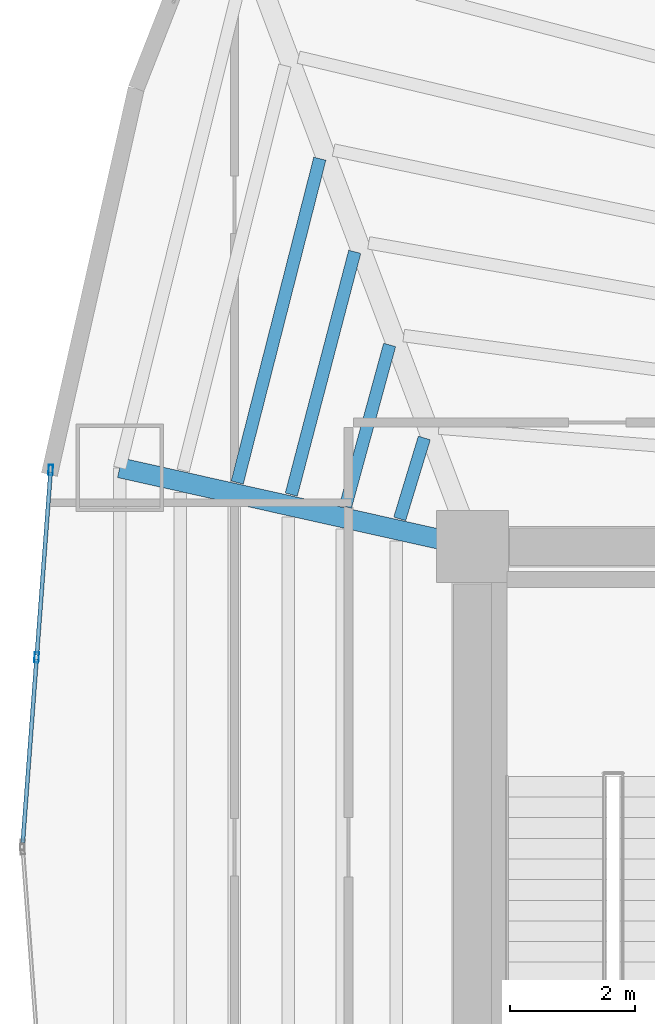
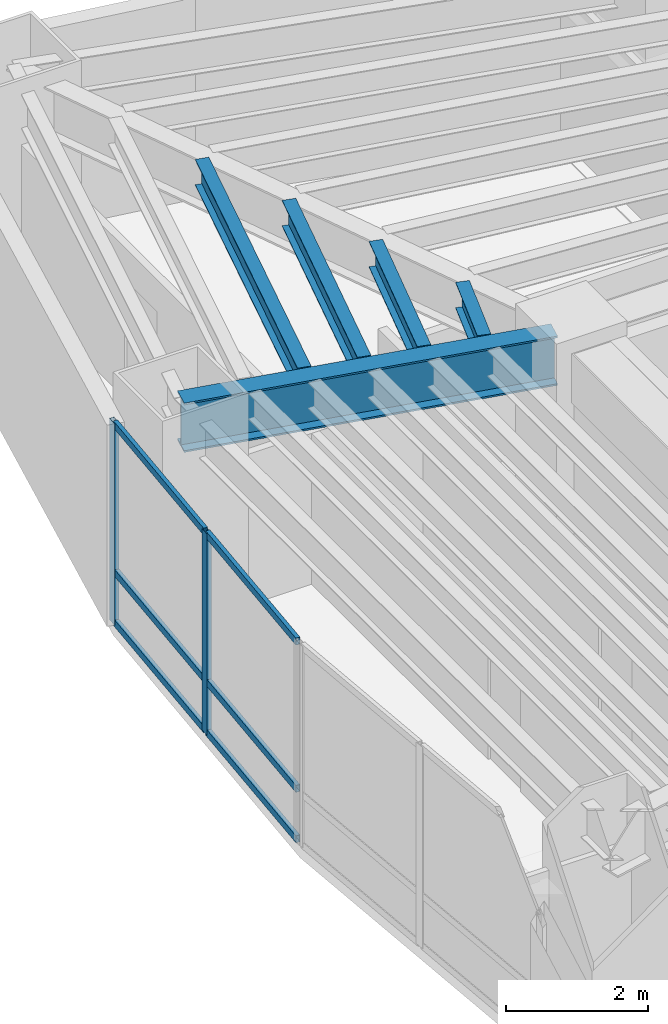
# One storey, part 7 of 17: 8 members, 5 beams, 1 element without a shape of its own.
"""IFC4 building model written with IfcOpenShell, lengths in metres."""

import ifcopenshell
import ifcopenshell.guid

model = None  # the IFC model being written
_history = None  # IfcOwnerHistory: only IFC2X3 demands one
_inside = {}  # id of a spatial element -> (the spatial element, [elements in it])
_under = {}  # id of a project, library or spatial element -> (it, [spatial elements below it])
_declared = {}  # id of a project -> (the project, [libraries it declares])
_typed = {}  # id of a type object -> (the type object, [elements of that type])
_made_of = {}  # id of a material, layer set ... -> (it, [elements and type objects made of it])


def new_model(schema):
    """Start an empty IFC model of exactly this schema.

    Asked for "IFC4X3", IfcOpenShell would pick the latest addendum, in which some entities
    have other attributes; the version numbers below select the first issue.
    IFC2X3 requires an IfcOwnerHistory on every rooted entity: one is made here for all.
    """
    global model, _history
    if schema == "IFC4X3":
        model = ifcopenshell.file(schema_version=(4, 3, 0, 0))
    else:
        model = ifcopenshell.file(schema=schema)
    _inside.clear()
    _under.clear()
    _declared.clear()
    _typed.clear()
    _made_of.clear()
    _history = None
    if model.schema == "IFC2X3":
        org = make("IfcOrganization", Name="unknown")
        user = make(
            "IfcPersonAndOrganization",
            ThePerson=make("IfcPerson", FamilyName="unknown"),
            TheOrganization=org,
        )
        app = make(
            "IfcApplication",
            ApplicationDeveloper=org,
            Version="unknown",
            ApplicationFullName="unknown",
            ApplicationIdentifier="unknown",
        )
        _history = make(
            "IfcOwnerHistory",
            OwningUser=user,
            OwningApplication=app,
            ChangeAction="ADDED",
            CreationDate=0,
        )
    return model


def make(cls, **values):
    """One entity of the class cls with the attributes given. An attribute that is None is left unset."""
    return model.create_entity(
        cls, **{name: value for name, value in values.items() if value is not None}
    )


def rooted(cls, **values):
    """An entity with a GlobalId (a new one), such as an element, a storey or a relation."""
    return make(cls, GlobalId=ifcopenshell.guid.new(), OwnerHistory=_history, **values)


def si_unit(unit_type, name, prefix=None):
    """IfcSIUnit, for example si_unit("LENGTHUNIT", "METRE", prefix="MILLI")."""
    return make("IfcSIUnit", UnitType=unit_type, Prefix=prefix, Name=name)


def assignment(units):
    """IfcUnitAssignment: the units of a project."""
    return None if units is None else make("IfcUnitAssignment", Units=units)


def point(xyz):
    """IfcCartesianPoint."""
    return None if xyz is None else make("IfcCartesianPoint", Coordinates=xyz)


def direction(xyz):
    """IfcDirection."""
    return None if xyz is None else make("IfcDirection", DirectionRatios=xyz)


def frame(location, z_axis=None, x_axis=None):
    """IfcAxis2Placement3D, a coordinate frame: its origin and axes. An axis left out is left unset."""
    return make(
        "IfcAxis2Placement3D",
        Location=point(location),
        Axis=direction(z_axis),
        RefDirection=direction(x_axis),
    )


def frame_2d(location, x_axis=None):
    """IfcAxis2Placement2D, a coordinate frame in the plane: its origin and x axis."""
    return make(
        "IfcAxis2Placement2D", Location=point(location), RefDirection=direction(x_axis)
    )


def origin():
    """The frame at (0, 0, 0) with its axes left unset."""
    return frame((0.0, 0.0, 0.0))


def origin_2d():
    """The frame at (0, 0) in the plane with its x axis left unset."""
    return frame_2d((0.0, 0.0))


def place(relative_to, where):
    """IfcLocalPlacement: puts the frame where relative to a parent placement (None: the world)."""
    return make(
        "IfcLocalPlacement", PlacementRelTo=relative_to, RelativePlacement=where
    )


def context(
    kind, dimensions, precision=None, world=None, true_north=None, identifier=None
):
    """IfcGeometricRepresentationContext, for example the 3D "Model" context."""
    return make(
        "IfcGeometricRepresentationContext",
        ContextIdentifier=identifier,
        ContextType=kind,
        CoordinateSpaceDimension=dimensions,
        Precision=precision,
        WorldCoordinateSystem=world,
        TrueNorth=true_north,
    )


def subcontext(parent, identifier, kind, view, scale=None):
    """IfcGeometricRepresentationSubContext, for example "Body" below "Model"."""
    return make(
        "IfcGeometricRepresentationSubContext",
        ContextIdentifier=identifier,
        ContextType=kind,
        ParentContext=parent,
        TargetScale=scale,
        TargetView=view,
    )


def project(units=None, contexts=None):
    """IfcProject with its units and contexts."""
    return rooted(
        "IfcProject",
        Name="project",
        RepresentationContexts=contexts,
        UnitsInContext=assignment(units),
    )


def spatial(cls, under=None, at=None, **own):
    """A site, building, storey or space (cls), placed at a placement, below another one or the project."""
    s = rooted(cls, ObjectPlacement=at, **own)
    if under is not None:
        _under.setdefault(under.id(), (under, []))[1].append(s)
    return s


def profile(cls, at=None, kind="AREA", **sizes):
    """A parametric profile (cls). Its sizes go by their IFC names, for example OverallWidth=200.0."""
    return make(cls, ProfileType=kind, Position=at, **sizes)


def hollow_rectangle(**sizes):
    """IfcRectangleHollowProfileDef."""
    return profile("IfcRectangleHollowProfileDef", **sizes)


def i_section(**sizes):
    """IfcIShapeProfileDef."""
    return profile("IfcIShapeProfileDef", **sizes)


def extrude(swept, where, along, depth):
    """IfcExtrudedAreaSolid: the profile swept, set in the frame where, extruded along a direction by depth."""
    return make(
        "IfcExtrudedAreaSolid",
        SweptArea=swept,
        Position=where,
        ExtrudedDirection=direction(along),
        Depth=depth,
    )


def shape(context_of_items, identifier, shape_type, items):
    """IfcShapeRepresentation: the items that make up one representation, for example the "Body"."""
    return make(
        "IfcShapeRepresentation",
        ContextOfItems=context_of_items,
        RepresentationIdentifier=identifier,
        RepresentationType=shape_type,
        Items=items,
    )


def material(Name=None, Category=None):
    """IfcMaterial."""
    return make("IfcMaterial", Name=Name, Category=Category)


def layer(
    of_material, thickness, ventilated=None, Name=None, Category=None, Priority=None
):
    """IfcMaterialLayer: one layer of a wall or slab, of a material (None: an air gap)."""
    return make(
        "IfcMaterialLayer",
        Material=of_material,
        LayerThickness=thickness,
        IsVentilated=ventilated,
        Name=Name,
        Category=Category,
        Priority=Priority,
    )


def layer_set(layers, Name=None):
    """IfcMaterialLayerSet."""
    return make("IfcMaterialLayerSet", MaterialLayers=layers, LayerSetName=Name)


def material_profile(
    of_material, cross_section, Name=None, Category=None, Priority=None
):
    """IfcMaterialProfile: a cross section and its material."""
    return make(
        "IfcMaterialProfile",
        Name=Name,
        Material=of_material,
        Profile=cross_section,
        Priority=Priority,
        Category=Category,
    )


def profile_set(profiles, Name=None, composite=None):
    """IfcMaterialProfileSet."""
    return make(
        "IfcMaterialProfileSet",
        Name=Name,
        MaterialProfiles=profiles,
        CompositeProfile=composite,
    )


def made_of(thing, what):
    """Note that an element or type object is made of a material, layer set ...; save() writes the relation."""
    if what is not None:
        _made_of.setdefault(what.id(), (what, []))[1].append(thing)
    return thing


def type_object(cls, material=None, **own):
    """A type object (cls), such as IfcWallType, which elements share."""
    return made_of(rooted(cls, **own), material)


def element(
    cls,
    number,
    at=None,
    inside=None,
    cuts=None,
    type_object=None,
    material=None,
    context=None,
    identifier="Body",
    shape_type=None,
    held_by="IfcProductDefinitionShape",
    body=None,
    shapes=None,
    **own,
):
    """One element of the class cls, such as IfcWall. Its Tag is "e" and its number.

    at: its placement. inside: the storey or other place that contains it. cuts: it is an
    opening in that element (IfcRelVoidsElement). A single representation is given by context,
    identifier, shape_type and body (its items); several are given by shapes. held_by: the class
    of the entity that holds the representations. save() writes the other relations.
    """
    e = rooted(cls, Tag="e%d" % number, ObjectPlacement=at, **own)
    if body is not None:
        shapes = [shape(context, identifier, shape_type, body)]
    if shapes is not None:
        e.Representation = make(held_by, Representations=shapes)
    if inside is not None:
        _inside.setdefault(inside.id(), (inside, []))[1].append(e)
    if cuts is not None:
        rooted(
            "IfcRelVoidsElement", RelatingBuildingElement=cuts, RelatedOpeningElement=e
        )
    if type_object is not None:
        _typed.setdefault(type_object.id(), (type_object, []))[1].append(e)
    return made_of(e, material)


def aggregate(whole, parts):
    """IfcRelAggregates: a whole, such as a stair, and the parts it consists of."""
    return rooted("IfcRelAggregates", RelatingObject=whole, RelatedObjects=parts)


def save(model, path):
    """Write the relations noted so far, then the file.

    IfcRelAggregates (storeys below a building ...), IfcRelContainedInSpatialStructure (elements
    in a storey), IfcRelDefinesByType, IfcRelAssociatesMaterial and IfcRelDeclares: one each for
    every whole, place, type object, material and project.
    """
    for whole, parts in _under.values():
        aggregate(whole, parts)
    for where, things in _inside.values():
        rooted(
            "IfcRelContainedInSpatialStructure",
            RelatedElements=things,
            RelatingStructure=where,
        )
    for kind, things in _typed.values():
        rooted("IfcRelDefinesByType", RelatedObjects=things, RelatingType=kind)
    for what, things in _made_of.values():
        rooted("IfcRelAssociatesMaterial", RelatedObjects=things, RelatingMaterial=what)
    for by, libraries in _declared.values():
        rooted("IfcRelDeclares", RelatingContext=by, RelatedDefinitions=libraries)
    model.write(path)


model = new_model("IFC4")

# Units and contexts
model_context = context("Model", 3, precision=1e-05, world=origin(), true_north=direction((0.0, 1.0)))
body_context = subcontext(model_context, "Body", "Model", "MODEL_VIEW")
ifc_project = project(units=[si_unit("LENGTHUNIT", "METRE"), si_unit("AREAUNIT", "SQUARE_METRE"), si_unit("VOLUMEUNIT", "CUBIC_METRE"), si_unit("PLANEANGLEUNIT", "RADIAN"), si_unit("MASSUNIT", "GRAM", prefix="KILO")], contexts=[model_context])

# Site, building, storey
site_placement = place(None, origin())
site = spatial("IfcSite", under=ifc_project, at=site_placement, CompositionType="ELEMENT")
building_placement = place(site_placement, origin())
building = spatial("IfcBuilding", under=site, at=building_placement, Name="Menara Vayukalpa", CompositionType="ELEMENT")
storey_placement = place(building_placement, frame((0.0, 0.0, 42.47998046875)))
storey = spatial("IfcBuildingStorey", under=building, at=storey_placement, Name="L09", CompositionType="ELEMENT", Elevation=42.47998046875)

# Beams
ifc_material_1 = material(Name="Steel S355", Category="steel")
ifc_material_profile_1 = material_profile(ifc_material_1, i_section(OverallWidth=0.320068359375, OverallDepth=0.85009765625, WebThickness=0.01611328125, FlangeThickness=0.030029296875, at=origin_2d()), Name="WF 850x320x16x30")
ifc_profile_set_1 = profile_set([ifc_material_profile_1], Name="Steel S355")
beam_type_1 = type_object("IfcBeamType", Name="BM-PG2", PredefinedType="BEAM", material=ifc_profile_set_1)
beam_1_placement = place(storey_placement, frame((17.555908203125, 26.8544921875, 3.044921875), z_axis=(-0.975920137818, 0.218128138031, 0.0), x_axis=(-0.218128138031, -0.975920137818, 0.0)))
element("IfcBeam", 1, at=beam_1_placement, inside=storey, type_object=beam_type_1, Name="L09 Primary Radial Girder RG05", PredefinedType="BEAM", context=body_context, shape_type="SweptSolid", body=[
    extrude(i_section(OverallWidth=0.320068359375, OverallDepth=0.85009765625, WebThickness=0.01611328125, FlangeThickness=0.030029296875, at=origin_2d()), origin(), (0.0, 0.0, 1.0), 5.524658203125),
])
ifc_material_2 = material(Name="Steel S355", Category="steel")
ifc_material_profile_2 = material_profile(ifc_material_2, i_section(OverallWidth=0.199951171875, OverallDepth=0.449951171875, WebThickness=0.009033203125, FlangeThickness=0.013916015625, at=origin_2d()), Name="WF 450x200x9x14")
ifc_profile_set_2 = profile_set([ifc_material_profile_2], Name="Steel S355")
beam_type_2 = type_object("IfcBeamType", Name="BM-SJ1", PredefinedType="JOIST", material=ifc_profile_set_2)
beam_2_placement = place(storey_placement, frame((17.03076171875, 28.535888671875, 3.2451171875), z_axis=(-0.291010568606, -0.956719838281, 0.0), x_axis=(0.956719838281, -0.291010568606, 0.0)))
element("IfcBeam", 2, at=beam_2_placement, inside=storey, type_object=beam_type_2, Name="L09 Secondary Floor Joist SJ04-1", PredefinedType="JOIST", context=body_context, shape_type="SweptSolid", body=[
    extrude(i_section(OverallWidth=0.199951171875, OverallDepth=0.449951171875, WebThickness=0.009033203125, FlangeThickness=0.013916015625, at=origin_2d()), origin(), (0.0, 0.0, 1.0), 1.3505859375),
])
beam_3_placement = place(storey_placement, frame((16.4765625, 30.0224609375, 3.2451171875), z_axis=(-0.263618546233, -0.964627006714, 0.0), x_axis=(0.964627006714, -0.263618546233, 0.0)))
element("IfcBeam", 3, at=beam_3_placement, inside=storey, type_object=beam_type_2, Name="L09 Secondary Floor Joist SJ04-2", PredefinedType="JOIST", context=body_context, shape_type="SweptSolid", body=[
    extrude(i_section(OverallWidth=0.199951171875, OverallDepth=0.449951171875, WebThickness=0.009033203125, FlangeThickness=0.013916015625, at=origin_2d()), origin(), (0.0, 0.0, 1.0), 2.67919921875),
])
beam_4_placement = place(storey_placement, frame((15.919189453125, 31.510009765625, 3.2451171875), z_axis=(-0.25283833468, -0.967508540798, 0.0), x_axis=(0.967508540798, -0.25283833468, 0.0)))
element("IfcBeam", 4, at=beam_4_placement, inside=storey, type_object=beam_type_2, Name="L09 Secondary Floor Joist SJ04-3", PredefinedType="JOIST", context=body_context, shape_type="SweptSolid", body=[
    extrude(i_section(OverallWidth=0.199951171875, OverallDepth=0.449951171875, WebThickness=0.009033203125, FlangeThickness=0.013916015625, at=origin_2d()), origin(), (0.0, 0.0, 1.0), 4.00927734375),
])
beam_5_placement = place(storey_placement, frame((15.361328125, 32.997802734375, 3.2451171875), z_axis=(-0.247105572938, -0.968988563309, 0.0), x_axis=(0.968988563309, -0.247105572938, 0.0)))
element("IfcBeam", 5, at=beam_5_placement, inside=storey, type_object=beam_type_2, Name="L09 Secondary Floor Joist SJ04-4", PredefinedType="JOIST", context=body_context, shape_type="SweptSolid", body=[
    extrude(i_section(OverallWidth=0.199951171875, OverallDepth=0.449951171875, WebThickness=0.009033203125, FlangeThickness=0.013916015625, at=origin_2d()), origin(), (0.0, 0.0, 1.0), 5.339111328125),
])

# Curtain wall, members
ifc_material_3 = material(Name="Anodised Terracotta Aluminium Alloy 6063-T6", Category="masonry")
ifc_layer = layer(ifc_material_3, 0.1650390625)
ifc_layer_set = layer_set([ifc_layer], Name="Anodised Terracotta Aluminium Alloy 6063-T6")
curtain_wall_type = type_object("IfcCurtainWallType", Name="CW-CW2", PredefinedType="USERDEFINED", material=ifc_layer_set)
curtain_wall_placement = place(storey_placement, origin())
curtain_wall = element("IfcCurtainWall", 6, at=curtain_wall_placement, inside=storey, type_object=curtain_wall_type, Name="L09 Low Rise Terracotta Ribbon Curtain Wall CW2 10", ObjectType="UNITISED", PredefinedType="USERDEFINED")
ifc_material_4 = material(Name="Anodised Terracotta Aluminium Alloy 6063-T6", Category="masonry")
ifc_material_profile_3 = material_profile(ifc_material_4, hollow_rectangle(XDim=0.070068359375, YDim=0.1650390625, WallThickness=0.00390625, at=origin_2d()), Name="ALU 70x165x4")
ifc_profile_set_3 = profile_set([ifc_material_profile_3], Name="Anodised Terracotta Aluminium Alloy 6063-T6")
member_type_1 = type_object("IfcMemberType", Name="CWM-CW2", PredefinedType="MULLION", material=ifc_profile_set_3)
member_1_placement = place(storey_placement, frame((11.0615234375, 28.024658203125, 0.0), z_axis=(0.0, 0.0, 1.0), x_axis=(0.997198941676, -0.074794857576, 0.0)))
member_1 = element("IfcMember", 7, at=member_1_placement, type_object=member_type_1, Name="CW2 mullion 1", PredefinedType="MULLION", context=body_context, shape_type="SweptSolid", body=[
    extrude(hollow_rectangle(XDim=0.070068359375, YDim=0.1650390625, WallThickness=0.00390625, at=origin_2d()), origin(), (0.0, 0.0, 1.0), 3.469970703125),
])
member_2_placement = place(storey_placement, frame((10.8369140625, 25.02978515625, 0.0), z_axis=(0.0, 0.0, 1.0), x_axis=(0.997198941676, -0.074794857576, 0.0)))
member_2 = element("IfcMember", 8, at=member_2_placement, type_object=member_type_1, Name="CW2 mullion 2", PredefinedType="MULLION", context=body_context, shape_type="SweptSolid", body=[
    extrude(hollow_rectangle(XDim=0.070068359375, YDim=0.1650390625, WallThickness=0.00390625, at=origin_2d()), origin(), (0.0, 0.0, 1.0), 3.469970703125),
])
ifc_material_5 = material(Name="Anodised Terracotta Aluminium Alloy 6063-T6", Category="masonry")
ifc_material_profile_4 = material_profile(ifc_material_5, hollow_rectangle(XDim=0.06494140625, YDim=0.1201171875, WallThickness=0.00341796875, at=origin_2d()), Name="ALU 65x120x3.5")
ifc_profile_set_4 = profile_set([ifc_material_profile_4], Name="Anodised Terracotta Aluminium Alloy 6063-T6")
member_type_2 = type_object("IfcMemberType", Name="CWT-CW2", PredefinedType="USERDEFINED", material=ifc_profile_set_4)
member_3_placement = place(storey_placement, frame((11.05908203125, 27.98974609375, 0.032470703125), z_axis=(-0.074825123723, -0.997196671103, 0.0), x_axis=(0.997196671103, -0.074825123723, 0.0)))
member_3 = element("IfcMember", 9, at=member_3_placement, type_object=member_type_2, Name="CW2 transom 1.1", ObjectType="TRANSOM", PredefinedType="USERDEFINED", context=body_context, shape_type="SweptSolid", body=[
    extrude(hollow_rectangle(XDim=0.06494140625, YDim=0.1201171875, WallThickness=0.00341796875, at=origin_2d()), origin(), (0.0, 0.0, 1.0), 2.933349609375),
])
member_4_placement = place(storey_placement, frame((11.05908203125, 27.98974609375, 0.89990234375), z_axis=(-0.074825123723, -0.997196671103, 0.0), x_axis=(0.997196671103, -0.074825123723, 0.0)))
member_4 = element("IfcMember", 10, at=member_4_placement, type_object=member_type_2, Name="CW2 transom 1.2", ObjectType="TRANSOM", PredefinedType="USERDEFINED", context=body_context, shape_type="SweptSolid", body=[
    extrude(hollow_rectangle(XDim=0.06494140625, YDim=0.1201171875, WallThickness=0.00341796875, at=origin_2d()), origin(), (0.0, 0.0, 1.0), 2.933349609375),
])
member_5_placement = place(storey_placement, frame((11.05908203125, 27.98974609375, 3.4375), z_axis=(-0.074825123723, -0.997196671103, 0.0), x_axis=(0.997196671103, -0.074825123723, 0.0)))
member_5 = element("IfcMember", 11, at=member_5_placement, type_object=member_type_2, Name="CW2 transom 1.3", ObjectType="TRANSOM", PredefinedType="USERDEFINED", context=body_context, shape_type="SweptSolid", body=[
    extrude(hollow_rectangle(XDim=0.06494140625, YDim=0.1201171875, WallThickness=0.00341796875, at=origin_2d()), origin(), (0.0, 0.0, 1.0), 2.933349609375),
])
member_6_placement = place(storey_placement, frame((10.834228515625, 24.994873046875, 0.032470703125), z_axis=(-0.074742357441, -0.997202878057, 0.0), x_axis=(0.997202878057, -0.074742357441, 0.0)))
member_6 = element("IfcMember", 12, at=member_6_placement, type_object=member_type_2, Name="CW2 transom 2.1", ObjectType="TRANSOM", PredefinedType="USERDEFINED", context=body_context, shape_type="SweptSolid", body=[
    extrude(hollow_rectangle(XDim=0.06494140625, YDim=0.1201171875, WallThickness=0.00341796875, at=origin_2d()), origin(), (0.0, 0.0, 1.0), 2.933349609375),
])
member_7_placement = place(storey_placement, frame((10.834228515625, 24.994873046875, 0.89990234375), z_axis=(-0.074742357441, -0.997202878057, 0.0), x_axis=(0.997202878057, -0.074742357441, 0.0)))
member_7 = element("IfcMember", 13, at=member_7_placement, type_object=member_type_2, Name="CW2 transom 2.2", ObjectType="TRANSOM", PredefinedType="USERDEFINED", context=body_context, shape_type="SweptSolid", body=[
    extrude(hollow_rectangle(XDim=0.06494140625, YDim=0.1201171875, WallThickness=0.00341796875, at=origin_2d()), origin(), (0.0, 0.0, 1.0), 2.933349609375),
])
member_8_placement = place(storey_placement, frame((10.834228515625, 24.994873046875, 3.4375), z_axis=(-0.074742357441, -0.997202878057, 0.0), x_axis=(0.997202878057, -0.074742357441, 0.0)))
member_8 = element("IfcMember", 14, at=member_8_placement, type_object=member_type_2, Name="CW2 transom 2.3", ObjectType="TRANSOM", PredefinedType="USERDEFINED", context=body_context, shape_type="SweptSolid", body=[
    extrude(hollow_rectangle(XDim=0.06494140625, YDim=0.1201171875, WallThickness=0.00341796875, at=origin_2d()), origin(), (0.0, 0.0, 1.0), 2.933349609375),
])
aggregate(curtain_wall, [member_1, member_2, member_3, member_4, member_5, member_6, member_7, member_8])

save(model, "model.ifc")
